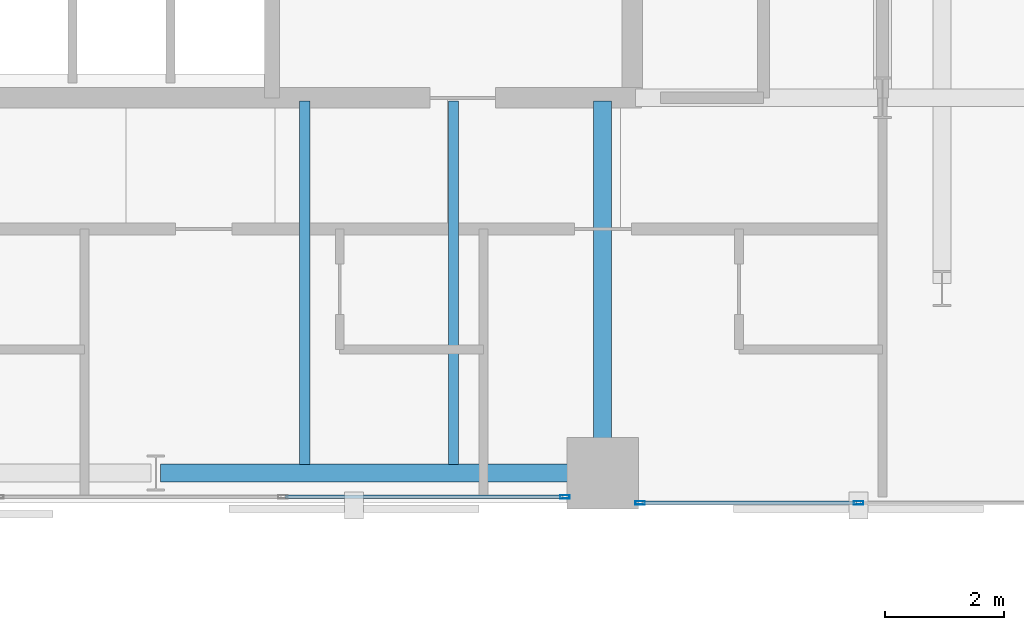
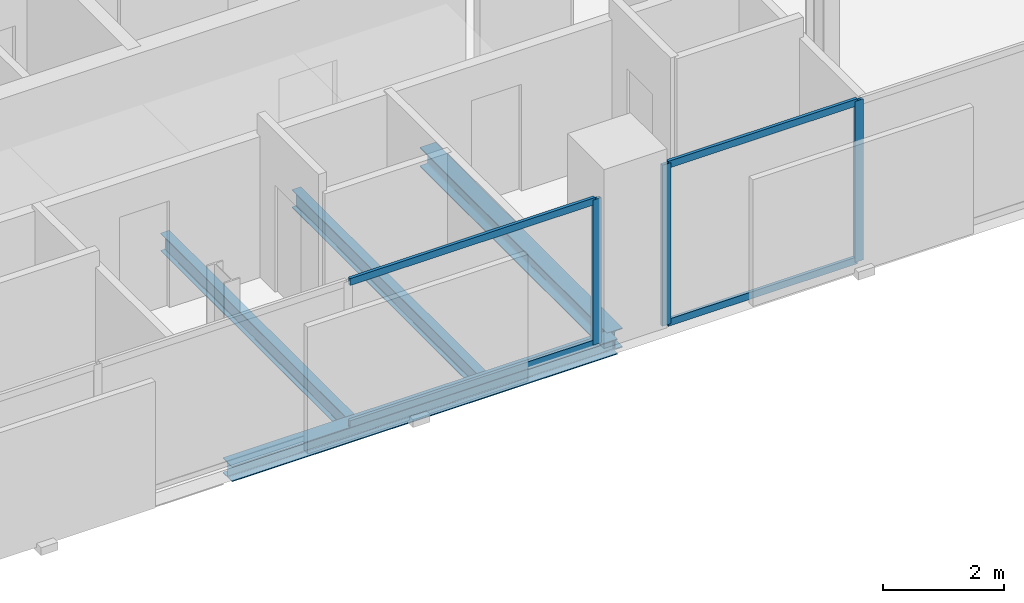
# One storey, part 14 of 32: 7 members, 4 beams, 2 elements without a shape of their own.
"""IFC4 building model written with IfcOpenShell, lengths in metres."""

from ifc_helpers import new_model, si_unit, direction, frame, origin, origin_2d, place, context, subcontext, project, spatial, hollow_rectangle, i_section, extrude, material, layer, layer_set, material_profile, profile_set, type_object, element, aggregate, save


model = new_model("IFC4")

# Units and contexts
model_context = context("Model", 3, precision=1e-05, world=origin(), true_north=direction((0.0, 1.0)))
body_context = subcontext(model_context, "Body", "Model", "MODEL_VIEW")
ifc_project = project(units=[si_unit("LENGTHUNIT", "METRE"), si_unit("AREAUNIT", "SQUARE_METRE"), si_unit("VOLUMEUNIT", "CUBIC_METRE"), si_unit("PLANEANGLEUNIT", "RADIAN"), si_unit("MASSUNIT", "GRAM", prefix="KILO")], contexts=[model_context])

# Site, building, storey
site_placement = place(None, origin())
site = spatial("IfcSite", under=ifc_project, at=site_placement, CompositionType="ELEMENT")
building_placement = place(site_placement, origin())
building = spatial("IfcBuilding", under=site, at=building_placement, Name="Catumbela Crestline Tower", CompositionType="ELEMENT")
storey_placement = place(building_placement, frame((0.0, 0.0, 140.4)))
storey = spatial("IfcBuildingStorey", under=building, at=storey_placement, Name="L36", CompositionType="ELEMENT", Elevation=140.4)

# Beams
ifc_material_1 = material(Name="Structural steel S355J2", Category="steel")
ifc_material_profile_1 = material_profile(ifc_material_1, i_section(OverallWidth=0.3, OverallDepth=0.39, WebThickness=0.011, FlangeThickness=0.019, FilletRadius=0.027, at=origin_2d()), Name="HEA 400")
ifc_profile_set_1 = profile_set([ifc_material_profile_1], Name="Structural steel S355J2")
beam_type_1 = type_object("IfcBeamType", Name="BG-HEA400", PredefinedType="BEAM", material=ifc_profile_set_1)
beam_1_placement = place(storey_placement, frame((39.5, 24.58, -0.455), z_axis=(0.0, 1.0, 0.0), x_axis=(-1.0, 0.0, 0.0)))
element("IfcBeam", 1, at=beam_1_placement, inside=storey, type_object=beam_type_1, Name="L36 Beam BM-L36-SNS31", PredefinedType="BEAM", context=body_context, shape_type="SweptSolid", body=[
    extrude(i_section(OverallWidth=0.3, OverallDepth=0.39, WebThickness=0.011, FlangeThickness=0.019, FilletRadius=0.027, at=origin_2d()), origin(), (0.0, 0.0, 1.0), 6.17),
])
ifc_material_profile_2 = material_profile(ifc_material_1, i_section(OverallWidth=0.17, OverallDepth=0.36, WebThickness=0.008, FlangeThickness=0.0127, FilletRadius=0.018, at=origin_2d()), Name="IPE 360")
ifc_profile_set_2 = profile_set([ifc_material_profile_2], Name="Structural steel S355J2")
beam_type_2 = type_object("IfcBeamType", Name="BJ-IPE360", PredefinedType="JOIST", material=ifc_profile_set_2)
for number, where, z_axis, x_axis, name in (
    (2, (34.5, 24.647, -0.44), (0.0, 1.0, 0.0), (-1.0, 0.0, 0.0), "L36 Joist JS-L36-SP41"),
    (3, (37.0, 24.647, -0.44), (0.0, 1.0, 0.0), (-1.0, 0.0, 0.0), "L36 Joist JS-L36-SP42"),
):
    element("IfcBeam", number, at=place(storey_placement, frame(where, z_axis=z_axis, x_axis=x_axis)), inside=storey, type_object=beam_type_2, Name=name, PredefinedType="JOIST", context=body_context, shape_type="SweptSolid", body=[
        extrude(i_section(OverallWidth=0.17, OverallDepth=0.36, WebThickness=0.008, FlangeThickness=0.0127, FilletRadius=0.018, at=origin_2d()), origin(), (0.0, 0.0, 1.0), 6.103),
    ])

# Curtain wall, member
ifc_material_2 = material(Name="Aluminium alloy AW-6060-T66", Category="aluminium")
ifc_layer = layer(ifc_material_2, 0.18, Name="Aluminium alloy AW-6060-T66")
ifc_layer_set = layer_set([ifc_layer], Name="Aluminium alloy AW-6060-T66")
curtain_wall_type = type_object("IfcCurtainWallType", Name="CWU-Z2", PredefinedType="USERDEFINED", material=ifc_layer_set)
curtain_wall_1_placement = place(storey_placement, origin())
curtain_wall_1 = element("IfcCurtainWall", 4, at=curtain_wall_1_placement, inside=storey, type_object=curtain_wall_type, Name="L36 Unitised Curtain Wall CW-L36-E3S1", ObjectType="UNITISED", PredefinedType="USERDEFINED")
ifc_material_profile_3 = material_profile(ifc_material_2, hollow_rectangle(XDim=0.06, YDim=0.16, WallThickness=0.004, at=origin_2d()), Name="ALU 160x60x4")
ifc_profile_set_3 = profile_set([ifc_material_profile_3], Name="Aluminium alloy AW-6060-T66")
member_type_1 = type_object("IfcMemberType", Name="MUL-160X60", PredefinedType="MULLION", material=ifc_profile_set_3)
member_1_placement = place(storey_placement, frame((38.8675, 24.1, 0.0), z_axis=(0.0, 0.0, 1.0), x_axis=(0.0, 1.0, 0.0)))
member_1 = element("IfcMember", 5, at=member_1_placement, type_object=member_type_1, Name="CWU-Z2 mullion 4", PredefinedType="MULLION", context=body_context, shape_type="SweptSolid", body=[
    extrude(hollow_rectangle(XDim=0.06, YDim=0.16, WallThickness=0.004, at=origin_2d()), origin(), (0.0, 0.0, 1.0), 2.92),
])

# Curtain wall, members
curtain_wall_2_placement = place(storey_placement, origin())
curtain_wall_2 = element("IfcCurtainWall", 6, at=curtain_wall_2_placement, inside=storey, type_object=curtain_wall_type, Name="L36 Unitised Curtain Wall CW-L36-E3S2", ObjectType="UNITISED", PredefinedType="USERDEFINED")
member_2_placement = place(storey_placement, frame((40.1325, 24.0, 0.0), z_axis=(0.0, 0.0, 1.0), x_axis=(0.0, 1.0, 0.0)))
member_2 = element("IfcMember", 7, at=member_2_placement, type_object=member_type_1, Name="CWU-Z2 mullion 1", PredefinedType="MULLION", context=body_context, shape_type="SweptSolid", body=[
    extrude(hollow_rectangle(XDim=0.06, YDim=0.16, WallThickness=0.004, at=origin_2d()), origin(), (0.0, 0.0, 1.0), 3.24),
])
member_3_placement = place(storey_placement, frame((43.8, 24.0, 0.0), z_axis=(0.0, 0.0, 1.0), x_axis=(0.0, 1.0, 0.0)))
member_3 = element("IfcMember", 8, at=member_3_placement, type_object=member_type_1, Name="CWU-Z2 mullion 2", PredefinedType="MULLION", context=body_context, shape_type="SweptSolid", body=[
    extrude(hollow_rectangle(XDim=0.06, YDim=0.16, WallThickness=0.004, at=origin_2d()), origin(), (0.0, 0.0, 1.0), 3.24),
])

# Beam
ifc_material_profile_4 = material_profile(ifc_material_1, i_section(OverallWidth=0.3, OverallDepth=0.31, WebThickness=0.009, FlangeThickness=0.0155, FilletRadius=0.027, at=origin_2d()), Name="HEA 320")
ifc_profile_set_4 = profile_set([ifc_material_profile_4], Name="Structural steel S355J2")
beam_type_3 = type_object("IfcBeamType", Name="BS-HEA320", PredefinedType="SPANDREL", material=ifc_profile_set_4)
beam_2_placement = place(storey_placement, frame((32.08, 24.5, -0.415), z_axis=(1.0, 0.0, 0.0), x_axis=(0.0, 1.0, 0.0)))
element("IfcBeam", 9, at=beam_2_placement, inside=storey, type_object=beam_type_3, Name="L36 Spandrel SP-L36-S06", PredefinedType="SPANDREL", context=body_context, shape_type="SweptSolid", body=[
    extrude(i_section(OverallWidth=0.3, OverallDepth=0.31, WebThickness=0.009, FlangeThickness=0.0155, FilletRadius=0.027, at=origin_2d()), origin(), (0.0, 0.0, 1.0), 7.34),
])

# Member
ifc_material_profile_5 = material_profile(ifc_material_2, hollow_rectangle(XDim=0.06, YDim=0.14, WallThickness=0.004, at=origin_2d()), Name="ALU 140x60x4")
ifc_profile_set_5 = profile_set([ifc_material_profile_5], Name="Aluminium alloy AW-6060-T66")
member_type_2 = type_object("IfcMemberType", Name="TRN-140X60", PredefinedType="USERDEFINED", material=ifc_profile_set_5)
member_4_placement = place(storey_placement, frame((34.1658, 24.1, 0.03), z_axis=(1.0, 0.0, 0.0), x_axis=(0.0, 1.0, 0.0)))
member_4 = element("IfcMember", 10, at=member_4_placement, type_object=member_type_2, Name="CWU-Z2 transom 3.1", ObjectType="TRANSOM", PredefinedType="USERDEFINED", context=body_context, shape_type="SweptSolid", body=[
    extrude(hollow_rectangle(XDim=0.06, YDim=0.14, WallThickness=0.004, at=origin_2d()), origin(), (0.0, 0.0, 1.0), 4.6692),
])

member_5_placement = place(storey_placement, frame((34.1658, 24.1, 2.89), z_axis=(1.0, 0.0, 0.0), x_axis=(0.0, 1.0, 0.0)))
member_5 = element("IfcMember", 11, at=member_5_placement, type_object=member_type_2, Name="CWU-Z2 transom 3.2", ObjectType="TRANSOM", PredefinedType="USERDEFINED", context=body_context, shape_type="SweptSolid", body=[
    extrude(hollow_rectangle(XDim=0.06, YDim=0.14, WallThickness=0.004, at=origin_2d()), origin(), (0.0, 0.0, 1.0), 4.6692),
])

aggregate(curtain_wall_1, [member_1, member_4, member_5])

member_6_placement = place(storey_placement, frame((40.165, 24.0, 0.03), z_axis=(1.0, 0.0, 0.0), x_axis=(0.0, 1.0, 0.0)))
member_6 = element("IfcMember", 12, at=member_6_placement, type_object=member_type_2, Name="CWU-Z2 transom 1.1", ObjectType="TRANSOM", PredefinedType="USERDEFINED", context=body_context, shape_type="SweptSolid", body=[
    extrude(hollow_rectangle(XDim=0.06, YDim=0.14, WallThickness=0.004, at=origin_2d()), origin(), (0.0, 0.0, 1.0), 3.6025),
])

member_7_placement = place(storey_placement, frame((40.165, 24.0, 3.21), z_axis=(1.0, 0.0, 0.0), x_axis=(0.0, 1.0, 0.0)))
member_7 = element("IfcMember", 13, at=member_7_placement, type_object=member_type_2, Name="CWU-Z2 transom 1.2", ObjectType="TRANSOM", PredefinedType="USERDEFINED", context=body_context, shape_type="SweptSolid", body=[
    extrude(hollow_rectangle(XDim=0.06, YDim=0.14, WallThickness=0.004, at=origin_2d()), origin(), (0.0, 0.0, 1.0), 3.6025),
])

aggregate(curtain_wall_2, [member_2, member_3, member_6, member_7])

save(model, "model.ifc")
